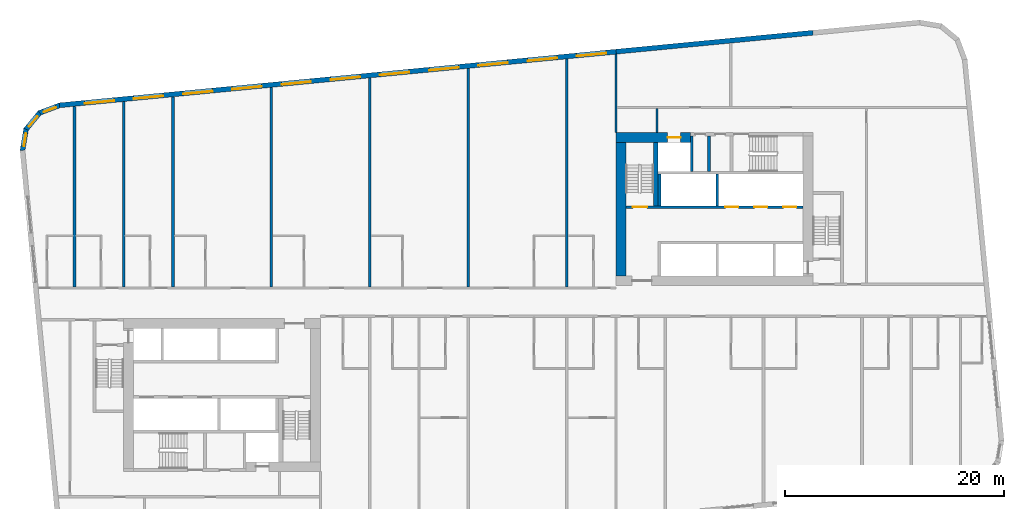
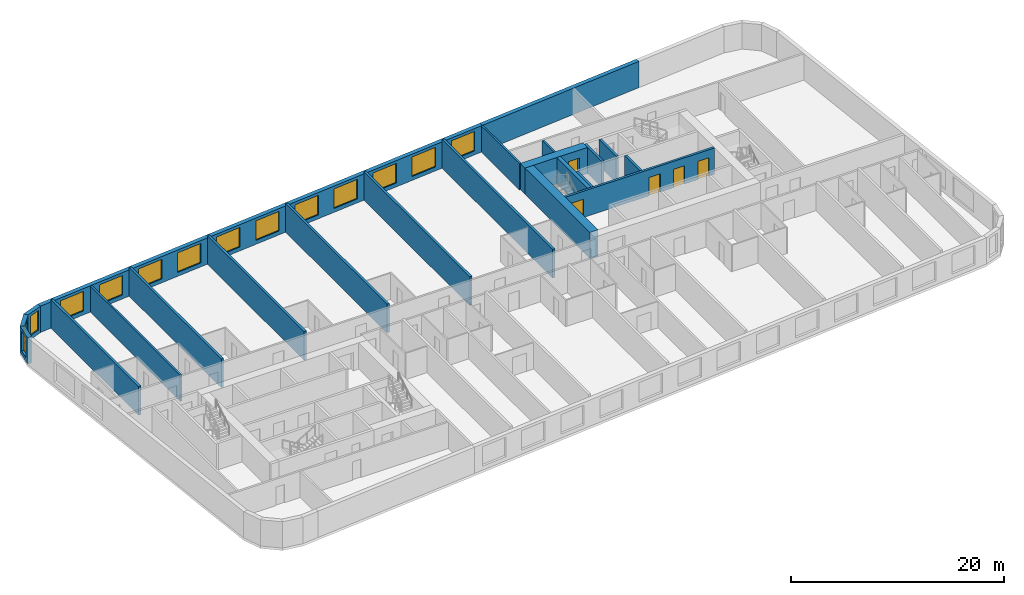
# One storey, part 6 of 12: 22 walls, 14 windows, 5 doors, 19 openings.
"""IFC4 building model written with IfcOpenShell, lengths in metres."""

import ifcopenshell
import ifcopenshell.guid

model = None  # the IFC model being written
_history = None  # IfcOwnerHistory: only IFC2X3 demands one
_inside = {}  # id of a spatial element -> (the spatial element, [elements in it])
_under = {}  # id of a project, library or spatial element -> (it, [spatial elements below it])
_declared = {}  # id of a project -> (the project, [libraries it declares])
_typed = {}  # id of a type object -> (the type object, [elements of that type])
_made_of = {}  # id of a material, layer set ... -> (it, [elements and type objects made of it])


def new_model(schema):
    """Start an empty IFC model of exactly this schema.

    Asked for "IFC4X3", IfcOpenShell would pick the latest addendum, in which some entities
    have other attributes; the version numbers below select the first issue.
    IFC2X3 requires an IfcOwnerHistory on every rooted entity: one is made here for all.
    """
    global model, _history
    if schema == "IFC4X3":
        model = ifcopenshell.file(schema_version=(4, 3, 0, 0))
    else:
        model = ifcopenshell.file(schema=schema)
    _inside.clear()
    _under.clear()
    _declared.clear()
    _typed.clear()
    _made_of.clear()
    _history = None
    if model.schema == "IFC2X3":
        org = make("IfcOrganization", Name="unknown")
        user = make(
            "IfcPersonAndOrganization",
            ThePerson=make("IfcPerson", FamilyName="unknown"),
            TheOrganization=org,
        )
        app = make(
            "IfcApplication",
            ApplicationDeveloper=org,
            Version="unknown",
            ApplicationFullName="unknown",
            ApplicationIdentifier="unknown",
        )
        _history = make(
            "IfcOwnerHistory",
            OwningUser=user,
            OwningApplication=app,
            ChangeAction="ADDED",
            CreationDate=0,
        )
    return model


def make(cls, **values):
    """One entity of the class cls with the attributes given. An attribute that is None is left unset."""
    return model.create_entity(
        cls, **{name: value for name, value in values.items() if value is not None}
    )


def rooted(cls, **values):
    """An entity with a GlobalId (a new one), such as an element, a storey or a relation."""
    return make(cls, GlobalId=ifcopenshell.guid.new(), OwnerHistory=_history, **values)


def si_unit(unit_type, name, prefix=None):
    """IfcSIUnit, for example si_unit("LENGTHUNIT", "METRE", prefix="MILLI")."""
    return make("IfcSIUnit", UnitType=unit_type, Prefix=prefix, Name=name)


def assignment(units):
    """IfcUnitAssignment: the units of a project."""
    return None if units is None else make("IfcUnitAssignment", Units=units)


def point(xyz):
    """IfcCartesianPoint."""
    return None if xyz is None else make("IfcCartesianPoint", Coordinates=xyz)


def direction(xyz):
    """IfcDirection."""
    return None if xyz is None else make("IfcDirection", DirectionRatios=xyz)


def frame(location, z_axis=None, x_axis=None):
    """IfcAxis2Placement3D, a coordinate frame: its origin and axes. An axis left out is left unset."""
    return make(
        "IfcAxis2Placement3D",
        Location=point(location),
        Axis=direction(z_axis),
        RefDirection=direction(x_axis),
    )


def frame_2d(location, x_axis=None):
    """IfcAxis2Placement2D, a coordinate frame in the plane: its origin and x axis."""
    return make(
        "IfcAxis2Placement2D", Location=point(location), RefDirection=direction(x_axis)
    )


def origin():
    """The frame at (0, 0, 0) with its axes left unset."""
    return frame((0.0, 0.0, 0.0))


def place(relative_to, where):
    """IfcLocalPlacement: puts the frame where relative to a parent placement (None: the world)."""
    return make(
        "IfcLocalPlacement", PlacementRelTo=relative_to, RelativePlacement=where
    )


def context(
    kind, dimensions, precision=None, world=None, true_north=None, identifier=None
):
    """IfcGeometricRepresentationContext, for example the 3D "Model" context."""
    return make(
        "IfcGeometricRepresentationContext",
        ContextIdentifier=identifier,
        ContextType=kind,
        CoordinateSpaceDimension=dimensions,
        Precision=precision,
        WorldCoordinateSystem=world,
        TrueNorth=true_north,
    )


def subcontext(parent, identifier, kind, view, scale=None):
    """IfcGeometricRepresentationSubContext, for example "Body" below "Model"."""
    return make(
        "IfcGeometricRepresentationSubContext",
        ContextIdentifier=identifier,
        ContextType=kind,
        ParentContext=parent,
        TargetScale=scale,
        TargetView=view,
    )


def project(units=None, contexts=None):
    """IfcProject with its units and contexts."""
    return rooted(
        "IfcProject",
        Name="project",
        RepresentationContexts=contexts,
        UnitsInContext=assignment(units),
    )


def spatial(cls, under=None, at=None, **own):
    """A site, building, storey or space (cls), placed at a placement, below another one or the project."""
    s = rooted(cls, ObjectPlacement=at, **own)
    if under is not None:
        _under.setdefault(under.id(), (under, []))[1].append(s)
    return s


def polyline(points):
    """IfcPolyline through the points."""
    return make("IfcPolyline", Points=[point(p) for p in points])


def profile(cls, at=None, kind="AREA", **sizes):
    """A parametric profile (cls). Its sizes go by their IFC names, for example OverallWidth=200.0."""
    return make(cls, ProfileType=kind, Position=at, **sizes)


def rectangle(**sizes):
    """IfcRectangleProfileDef."""
    return profile("IfcRectangleProfileDef", **sizes)


def outline(outer, holes=None, kind="AREA"):
    """IfcArbitraryClosedProfileDef: a profile drawn as a closed curve; with holes, ...WithVoids."""
    if holes is None:
        return make("IfcArbitraryClosedProfileDef", ProfileType=kind, OuterCurve=outer)
    return make(
        "IfcArbitraryProfileDefWithVoids",
        ProfileType=kind,
        OuterCurve=outer,
        InnerCurves=holes,
    )


def extrude(swept, where, along, depth):
    """IfcExtrudedAreaSolid: the profile swept, set in the frame where, extruded along a direction by depth."""
    return make(
        "IfcExtrudedAreaSolid",
        SweptArea=swept,
        Position=where,
        ExtrudedDirection=direction(along),
        Depth=depth,
    )


def shape(context_of_items, identifier, shape_type, items):
    """IfcShapeRepresentation: the items that make up one representation, for example the "Body"."""
    return make(
        "IfcShapeRepresentation",
        ContextOfItems=context_of_items,
        RepresentationIdentifier=identifier,
        RepresentationType=shape_type,
        Items=items,
    )


def material(Name=None, Category=None):
    """IfcMaterial."""
    return make("IfcMaterial", Name=Name, Category=Category)


def layer(
    of_material, thickness, ventilated=None, Name=None, Category=None, Priority=None
):
    """IfcMaterialLayer: one layer of a wall or slab, of a material (None: an air gap)."""
    return make(
        "IfcMaterialLayer",
        Material=of_material,
        LayerThickness=thickness,
        IsVentilated=ventilated,
        Name=Name,
        Category=Category,
        Priority=Priority,
    )


def layer_set(layers, Name=None):
    """IfcMaterialLayerSet."""
    return make("IfcMaterialLayerSet", MaterialLayers=layers, LayerSetName=Name)


def made_of(thing, what):
    """Note that an element or type object is made of a material, layer set ...; save() writes the relation."""
    if what is not None:
        _made_of.setdefault(what.id(), (what, []))[1].append(thing)
    return thing


def type_object(cls, material=None, **own):
    """A type object (cls), such as IfcWallType, which elements share."""
    return made_of(rooted(cls, **own), material)


def element(
    cls,
    number,
    at=None,
    inside=None,
    cuts=None,
    type_object=None,
    material=None,
    context=None,
    identifier="Body",
    shape_type=None,
    held_by="IfcProductDefinitionShape",
    body=None,
    shapes=None,
    **own,
):
    """One element of the class cls, such as IfcWall. Its Tag is "e" and its number.

    at: its placement. inside: the storey or other place that contains it. cuts: it is an
    opening in that element (IfcRelVoidsElement). A single representation is given by context,
    identifier, shape_type and body (its items); several are given by shapes. held_by: the class
    of the entity that holds the representations. save() writes the other relations.
    """
    e = rooted(cls, Tag="e%d" % number, ObjectPlacement=at, **own)
    if body is not None:
        shapes = [shape(context, identifier, shape_type, body)]
    if shapes is not None:
        e.Representation = make(held_by, Representations=shapes)
    if inside is not None:
        _inside.setdefault(inside.id(), (inside, []))[1].append(e)
    if cuts is not None:
        rooted(
            "IfcRelVoidsElement", RelatingBuildingElement=cuts, RelatedOpeningElement=e
        )
    if type_object is not None:
        _typed.setdefault(type_object.id(), (type_object, []))[1].append(e)
    return made_of(e, material)


def fill(opening, filler):
    """IfcRelFillsElement: the door or window that sits in an opening."""
    return rooted(
        "IfcRelFillsElement",
        RelatingOpeningElement=opening,
        RelatedBuildingElement=filler,
    )


def aggregate(whole, parts):
    """IfcRelAggregates: a whole, such as a stair, and the parts it consists of."""
    return rooted("IfcRelAggregates", RelatingObject=whole, RelatedObjects=parts)


def save(model, path):
    """Write the relations noted so far, then the file.

    IfcRelAggregates (storeys below a building ...), IfcRelContainedInSpatialStructure (elements
    in a storey), IfcRelDefinesByType, IfcRelAssociatesMaterial and IfcRelDeclares: one each for
    every whole, place, type object, material and project.
    """
    for whole, parts in _under.values():
        aggregate(whole, parts)
    for where, things in _inside.values():
        rooted(
            "IfcRelContainedInSpatialStructure",
            RelatedElements=things,
            RelatingStructure=where,
        )
    for kind, things in _typed.values():
        rooted("IfcRelDefinesByType", RelatedObjects=things, RelatingType=kind)
    for what, things in _made_of.values():
        rooted("IfcRelAssociatesMaterial", RelatedObjects=things, RelatingMaterial=what)
    for by, libraries in _declared.values():
        rooted("IfcRelDeclares", RelatingContext=by, RelatedDefinitions=libraries)
    model.write(path)


model = new_model("IFC4")

# Units and contexts
model_context = context("Model", 3, precision=1e-05, world=origin(), true_north=direction((0.0, 1.0)))
body_context = subcontext(model_context, "Body", "Model", "MODEL_VIEW")
ifc_project = project(units=[si_unit("LENGTHUNIT", "METRE"), si_unit("AREAUNIT", "SQUARE_METRE"), si_unit("VOLUMEUNIT", "CUBIC_METRE"), si_unit("PLANEANGLEUNIT", "RADIAN"), si_unit("MASSUNIT", "GRAM", prefix="KILO")], contexts=[model_context])

# Site, building, storey
site_placement = place(None, origin())
site = spatial("IfcSite", under=ifc_project, at=site_placement, CompositionType="ELEMENT")
building_placement = place(site_placement, origin())
building = spatial("IfcBuilding", under=site, at=building_placement, Name="Kajstack Hotel Tower", CompositionType="ELEMENT")
storey_placement = place(building_placement, frame((0.0, 0.0, 117.39990234375)))
storey = spatial("IfcBuildingStorey", under=building, at=storey_placement, Name="L25", CompositionType="ELEMENT", Elevation=117.39990234375)

# Wall, opening, door
ifc_material_1 = material(Name="Concrete C60/75", Category="concrete")
ifc_layer_1 = layer(ifc_material_1, 0.89990234375)
ifc_layer_set_1 = layer_set([ifc_layer_1], Name="Core wall 900")
wall_type_1 = type_object("IfcWallType", Name="Core wall 900", PredefinedType="SHEAR", material=ifc_layer_set_1)
wall_1_placement = place(storey_placement, frame((13.5, 15.050048828125, 0.0), z_axis=(0.0, 0.0, 1.0), x_axis=(1.0, 0.0, 0.0)))
wall_1 = element("IfcWall", 1, at=wall_1_placement, inside=storey, type_object=wall_type_1, Name="Core wall E RS", PredefinedType="SHEAR", context=body_context, shape_type="SweptSolid", body=[
    extrude(rectangle(XDim=6.800048828125, YDim=0.89990234375, at=frame_2d((3.39990234375, 0.0))), origin(), (0.0, 0.0, 1.0), 3.02001953125),
])
opening_1_placement = place(wall_1_placement, frame((4.72509765625, 0.0, 0.0)))
opening_1 = element("IfcOpeningElement", 2, at=opening_1_placement, cuts=wall_1, Name="Opening LD-SV2", PredefinedType="OPENING", context=body_context, shape_type="SweptSolid", body=[
    extrude(rectangle(XDim=1.199951171875, YDim=2.10009765625, at=frame_2d((0.60009765625, 1.050048828125))), frame((0.0, 0.4599609375, 0.0), z_axis=(0.0, -1.0, 0.0), x_axis=(1.0, 0.0, 0.0)), (0.0, 0.0, 1.0), 0.919921875),
])
ifc_material_2 = material(Name="Stainless steel", Category="steel")
door_type_1 = type_object("IfcDoorType", Name="Lift landing door 1200", OperationType="SLIDING_TO_LEFT", PredefinedType="DOOR", material=ifc_material_2)
door_1_placement = place(opening_1_placement, origin())
door_1 = element("IfcDoor", 3, at=door_1_placement, inside=storey, type_object=door_type_1, Name="Landing door SV2", OperationType="SLIDING_TO_LEFT", OverallHeight=2.10009765625, OverallWidth=1.199951171875, PredefinedType="DOOR", context=body_context, shape_type="SweptSolid", body=[
    extrude(rectangle(XDim=1.199951171875, YDim=2.10009765625, at=frame_2d((0.60009765625, 1.050048828125))), frame((0.0, 0.02490234375, 0.0), z_axis=(0.0, -1.0, 0.0), x_axis=(1.0, 0.0, 0.0)), (0.0, 0.0, 1.0), 0.050048828125),
])
fill(opening_1, door_1)

# Walls
wall_2_placement = place(storey_placement, frame((13.949951171875, 2.39990234375, 0.0), z_axis=(0.0, 0.0, 1.0), x_axis=(0.0, 1.0, 0.0)))
element("IfcWall", 4, at=wall_2_placement, inside=storey, type_object=wall_type_1, Name="Core wall E RE", PredefinedType="SHEAR", context=body_context, shape_type="SweptSolid", body=[
    extrude(rectangle(XDim=12.2001953125, YDim=0.89990234375, at=frame_2d((6.10009765625, 0.0))), origin(), (0.0, 0.0, 1.0), 3.02001953125),
])
ifc_material_3 = material(Name="Twin-frame gypsum board on steel studs, mineral wool", Category="steel")
ifc_layer_2 = layer(ifc_material_3, 0.199951171875)
ifc_layer_set_2 = layer_set([ifc_layer_2], Name="Demising wall 200")
wall_type_2 = type_object("IfcWallType", Name="Demising wall 200", PredefinedType="PARTITIONING", material=ifc_layer_set_2)
wall_3_placement = place(storey_placement, frame((13.5, 15.5, 0.0), z_axis=(0.0, 0.0, 1.0), x_axis=(0.0, 1.0, 0.0)))
element("IfcWall", 5, at=wall_3_placement, inside=storey, type_object=wall_type_2, Name="G-wall-L25-001", PredefinedType="PARTITIONING", context=body_context, shape_type="SweptSolid", body=[
    extrude(rectangle(XDim=7.162109375, YDim=0.199951171875, at=frame_2d((3.5810546875, 0.0))), origin(), (0.0, 0.0, 1.0), 3.02001953125),
])
wall_4_placement = place(storey_placement, frame((-31.5, 1.39990234375, 0.0), z_axis=(0.0, 0.0, 1.0), x_axis=(0.0, 1.0, 0.0)))
element("IfcWall", 6, at=wall_4_placement, inside=storey, type_object=wall_type_2, Name="G-wall-L25-006", PredefinedType="PARTITIONING", context=body_context, shape_type="SweptSolid", body=[
    extrude(rectangle(XDim=16.92919921875, YDim=0.199951171875, at=frame_2d((8.464599609375, 0.0))), origin(), (0.0, 0.0, 1.0), 3.02001953125),
])
ifc_material_4 = material(Name="Concrete C40/50", Category="concrete")
ifc_layer_3 = layer(ifc_material_4, 0.449951171875)
ifc_layer_set_3 = layer_set([ifc_layer_3], Name="EW-CORE")
wall_type_3 = type_object("IfcWallType", Name="EW-CORE", PredefinedType="SOLIDWALL", material=ifc_layer_set_3)
wall_5_placement = place(storey_placement, frame((31.521484375, 24.623291015625, 0.0), z_axis=(0.0, 0.0, 1.0), x_axis=(-0.995396454615, -0.095843091245, 0.0)))
element("IfcWall", 7, at=wall_5_placement, inside=storey, type_object=wall_type_3, Name="E-wall-L25-12-01", PredefinedType="SOLIDWALL", context=body_context, shape_type="SweptSolid", body=[
    extrude(rectangle(XDim=18.083251953125, YDim=0.449951171875, at=frame_2d((9.04150390625, 0.0))), origin(), (0.0, 0.0, 1.0), 3.02001953125),
])

# Wall, openings, windows
ifc_material_5 = material(Name="Terracotta-faced brick masonry", Category="masonry")
ifc_layer_4 = layer(ifc_material_5, 0.449951171875)
ifc_layer_set_4 = layer_set([ifc_layer_4], Name="EW-TERRA")
wall_type_4 = type_object("IfcWallType", Name="EW-TERRA", PredefinedType="SOLIDWALL", material=ifc_layer_set_4)
wall_6_placement = place(storey_placement, frame((13.521484375, 22.89013671875, 0.0), z_axis=(0.0, 0.0, 1.0), x_axis=(-0.995396445054, -0.095843190545, 0.0)))
wall_6 = element("IfcWall", 8, at=wall_6_placement, inside=storey, type_object=wall_type_4, Name="E-wall-L25-12-02", PredefinedType="SOLIDWALL", context=body_context, shape_type="SweptSolid", body=[
    extrude(rectangle(XDim=51.114013671875, YDim=0.449951171875, at=frame_2d((25.55712890625, 0.0))), origin(), (0.0, 0.0, 1.0), 3.02001953125),
])
opening_2_placement = place(wall_6_placement, frame((0.910400390625, 0.0, 0.449951171875)))
opening_2 = element("IfcOpeningElement", 9, at=opening_2_placement, cuts=wall_6, Name="Opening W1", PredefinedType="OPENING", context=body_context, shape_type="SweptSolid", body=[
    extrude(rectangle(XDim=2.699951171875, YDim=2.25, at=frame_2d((1.35009765625, 1.125))), frame((0.0, 0.23486328125, 0.0), z_axis=(0.0, -1.0, 0.0), x_axis=(1.0, 0.0, 0.0)), (0.0, 0.0, 1.0), 0.469970703125),
])
opening_3_placement = place(wall_6_placement, frame((5.43115234375, 0.0, 0.449951171875)))
opening_3 = element("IfcOpeningElement", 10, at=opening_3_placement, cuts=wall_6, Name="Opening W1", PredefinedType="OPENING", context=body_context, shape_type="SweptSolid", body=[
    extrude(rectangle(XDim=2.699951171875, YDim=2.25, at=frame_2d((1.35009765625, 1.125))), frame((0.0, 0.23486328125, 0.0), z_axis=(0.0, -1.0, 0.0), x_axis=(1.0, 0.0, 0.0)), (0.0, 0.0, 1.0), 0.469970703125),
])
opening_4_placement = place(wall_6_placement, frame((9.951904296875, 0.0, 0.449951171875)))
opening_4 = element("IfcOpeningElement", 11, at=opening_4_placement, cuts=wall_6, Name="Opening W1", PredefinedType="OPENING", context=body_context, shape_type="SweptSolid", body=[
    extrude(rectangle(XDim=2.699951171875, YDim=2.25, at=frame_2d((1.35009765625, 1.125))), frame((0.0, 0.23486328125, 0.0), z_axis=(0.0, -1.0, 0.0), x_axis=(1.0, 0.0, 0.0)), (0.0, 0.0, 1.0), 0.469970703125),
])
opening_5_placement = place(wall_6_placement, frame((14.472900390625, 0.0, 0.449951171875)))
opening_5 = element("IfcOpeningElement", 12, at=opening_5_placement, cuts=wall_6, Name="Opening W1", PredefinedType="OPENING", context=body_context, shape_type="SweptSolid", body=[
    extrude(rectangle(XDim=2.699951171875, YDim=2.25, at=frame_2d((1.35009765625, 1.125))), frame((0.0, 0.23486328125, 0.0), z_axis=(0.0, -1.0, 0.0), x_axis=(1.0, 0.0, 0.0)), (0.0, 0.0, 1.0), 0.469970703125),
])
opening_6_placement = place(wall_6_placement, frame((18.99365234375, 0.0, 0.449951171875)))
opening_6 = element("IfcOpeningElement", 13, at=opening_6_placement, cuts=wall_6, Name="Opening W1", PredefinedType="OPENING", context=body_context, shape_type="SweptSolid", body=[
    extrude(rectangle(XDim=2.699951171875, YDim=2.25, at=frame_2d((1.35009765625, 1.125))), frame((0.0, 0.23486328125, 0.0), z_axis=(0.0, -1.0, 0.0), x_axis=(1.0, 0.0, 0.0)), (0.0, 0.0, 1.0), 0.469970703125),
])
opening_7_placement = place(wall_6_placement, frame((23.514404296875, 0.0, 0.449951171875)))
opening_7 = element("IfcOpeningElement", 14, at=opening_7_placement, cuts=wall_6, Name="Opening W1", PredefinedType="OPENING", context=body_context, shape_type="SweptSolid", body=[
    extrude(rectangle(XDim=2.699951171875, YDim=2.25, at=frame_2d((1.35009765625, 1.125))), frame((0.0, 0.23486328125, 0.0), z_axis=(0.0, -1.0, 0.0), x_axis=(1.0, 0.0, 0.0)), (0.0, 0.0, 1.0), 0.469970703125),
])
opening_8_placement = place(wall_6_placement, frame((28.035400390625, 0.0, 0.449951171875)))
opening_8 = element("IfcOpeningElement", 15, at=opening_8_placement, cuts=wall_6, Name="Opening W1", PredefinedType="OPENING", context=body_context, shape_type="SweptSolid", body=[
    extrude(rectangle(XDim=2.699951171875, YDim=2.25, at=frame_2d((1.35009765625, 1.125))), frame((0.0, 0.23486328125, 0.0), z_axis=(0.0, -1.0, 0.0), x_axis=(1.0, 0.0, 0.0)), (0.0, 0.0, 1.0), 0.469970703125),
])
opening_9_placement = place(wall_6_placement, frame((32.55615234375, 0.0, 0.449951171875)))
opening_9 = element("IfcOpeningElement", 16, at=opening_9_placement, cuts=wall_6, Name="Opening W1", PredefinedType="OPENING", context=body_context, shape_type="SweptSolid", body=[
    extrude(rectangle(XDim=2.699951171875, YDim=2.25, at=frame_2d((1.35009765625, 1.125))), frame((0.0, 0.23486328125, 0.0), z_axis=(0.0, -1.0, 0.0), x_axis=(1.0, 0.0, 0.0)), (0.0, 0.0, 1.0), 0.469970703125),
])
opening_10_placement = place(wall_6_placement, frame((37.076904296875, 0.0, 0.449951171875)))
opening_10 = element("IfcOpeningElement", 17, at=opening_10_placement, cuts=wall_6, Name="Opening W1", PredefinedType="OPENING", context=body_context, shape_type="SweptSolid", body=[
    extrude(rectangle(XDim=2.699951171875, YDim=2.25, at=frame_2d((1.35009765625, 1.125))), frame((0.0, 0.23486328125, 0.0), z_axis=(0.0, -1.0, 0.0), x_axis=(1.0, 0.0, 0.0)), (0.0, 0.0, 1.0), 0.469970703125),
])
opening_11_placement = place(wall_6_placement, frame((41.59765625, 0.0, 0.449951171875)))
opening_11 = element("IfcOpeningElement", 18, at=opening_11_placement, cuts=wall_6, Name="Opening W1", PredefinedType="OPENING", context=body_context, shape_type="SweptSolid", body=[
    extrude(rectangle(XDim=2.699951171875, YDim=2.25, at=frame_2d((1.35009765625, 1.125))), frame((0.0, 0.23486328125, 0.0), z_axis=(0.0, -1.0, 0.0), x_axis=(1.0, 0.0, 0.0)), (0.0, 0.0, 1.0), 0.469970703125),
])
opening_12_placement = place(wall_6_placement, frame((46.118408203125, 0.0, 0.449951171875)))
opening_12 = element("IfcOpeningElement", 19, at=opening_12_placement, cuts=wall_6, Name="Opening W1", PredefinedType="OPENING", context=body_context, shape_type="SweptSolid", body=[
    extrude(rectangle(XDim=2.699951171875, YDim=2.25, at=frame_2d((1.35009765625, 1.125))), frame((0.0, 0.23486328125, 0.0), z_axis=(0.0, -1.0, 0.0), x_axis=(1.0, 0.0, 0.0)), (0.0, 0.0, 1.0), 0.469970703125),
])
ifc_material_6 = material(Name="Timber-aluminium window, triple glazed", Category="wood")
window_type_1 = type_object("IfcWindowType", Name="WG1", PartitioningType="SINGLE_PANEL", PredefinedType="WINDOW", material=ifc_material_6)
window_1_placement = place(opening_2_placement, origin())
window_1 = element("IfcWindow", 20, at=window_1_placement, inside=storey, type_object=window_type_1, Name="Window W1 L25-12", OverallHeight=2.25, OverallWidth=2.699951171875, PartitioningType="SINGLE_PANEL", PredefinedType="WINDOW", context=body_context, shape_type="SweptSolid", body=[
    extrude(rectangle(XDim=2.699951171875, YDim=2.25, at=frame_2d((1.35009765625, 1.125))), frame((0.0, 0.090087890625, 0.0), z_axis=(0.0, -1.0, 0.0), x_axis=(1.0, 0.0, 0.0)), (0.0, 0.0, 1.0), 0.06005859375),
])
fill(opening_2, window_1)
window_2_placement = place(opening_3_placement, origin())
window_2 = element("IfcWindow", 21, at=window_2_placement, inside=storey, type_object=window_type_1, Name="Window W1 L25-12", OverallHeight=2.25, OverallWidth=2.699951171875, PartitioningType="SINGLE_PANEL", PredefinedType="WINDOW", context=body_context, shape_type="SweptSolid", body=[
    extrude(rectangle(XDim=2.699951171875, YDim=2.25, at=frame_2d((1.35009765625, 1.125))), frame((0.0, 0.090087890625, 0.0), z_axis=(0.0, -1.0, 0.0), x_axis=(1.0, 0.0, 0.0)), (0.0, 0.0, 1.0), 0.06005859375),
])
fill(opening_3, window_2)
window_3_placement = place(opening_4_placement, origin())
window_3 = element("IfcWindow", 22, at=window_3_placement, inside=storey, type_object=window_type_1, Name="Window W1 L25-12", OverallHeight=2.25, OverallWidth=2.699951171875, PartitioningType="SINGLE_PANEL", PredefinedType="WINDOW", context=body_context, shape_type="SweptSolid", body=[
    extrude(rectangle(XDim=2.699951171875, YDim=2.25, at=frame_2d((1.35009765625, 1.125))), frame((0.0, 0.090087890625, 0.0), z_axis=(0.0, -1.0, 0.0), x_axis=(1.0, 0.0, 0.0)), (0.0, 0.0, 1.0), 0.06005859375),
])
fill(opening_4, window_3)
window_4_placement = place(opening_5_placement, origin())
window_4 = element("IfcWindow", 23, at=window_4_placement, inside=storey, type_object=window_type_1, Name="Window W1 L25-12", OverallHeight=2.25, OverallWidth=2.699951171875, PartitioningType="SINGLE_PANEL", PredefinedType="WINDOW", context=body_context, shape_type="SweptSolid", body=[
    extrude(rectangle(XDim=2.699951171875, YDim=2.25, at=frame_2d((1.35009765625, 1.125))), frame((0.0, 0.090087890625, 0.0), z_axis=(0.0, -1.0, 0.0), x_axis=(1.0, 0.0, 0.0)), (0.0, 0.0, 1.0), 0.06005859375),
])
fill(opening_5, window_4)
window_5_placement = place(opening_6_placement, origin())
window_5 = element("IfcWindow", 24, at=window_5_placement, inside=storey, type_object=window_type_1, Name="Window W1 L25-12", OverallHeight=2.25, OverallWidth=2.699951171875, PartitioningType="SINGLE_PANEL", PredefinedType="WINDOW", context=body_context, shape_type="SweptSolid", body=[
    extrude(rectangle(XDim=2.699951171875, YDim=2.25, at=frame_2d((1.35009765625, 1.125))), frame((0.0, 0.090087890625, 0.0), z_axis=(0.0, -1.0, 0.0), x_axis=(1.0, 0.0, 0.0)), (0.0, 0.0, 1.0), 0.06005859375),
])
fill(opening_6, window_5)
window_6_placement = place(opening_7_placement, origin())
window_6 = element("IfcWindow", 25, at=window_6_placement, inside=storey, type_object=window_type_1, Name="Window W1 L25-12", OverallHeight=2.25, OverallWidth=2.699951171875, PartitioningType="SINGLE_PANEL", PredefinedType="WINDOW", context=body_context, shape_type="SweptSolid", body=[
    extrude(rectangle(XDim=2.699951171875, YDim=2.25, at=frame_2d((1.35009765625, 1.125))), frame((0.0, 0.090087890625, 0.0), z_axis=(0.0, -1.0, 0.0), x_axis=(1.0, 0.0, 0.0)), (0.0, 0.0, 1.0), 0.06005859375),
])
fill(opening_7, window_6)
window_7_placement = place(opening_8_placement, origin())
window_7 = element("IfcWindow", 26, at=window_7_placement, inside=storey, type_object=window_type_1, Name="Window W1 L25-12", OverallHeight=2.25, OverallWidth=2.699951171875, PartitioningType="SINGLE_PANEL", PredefinedType="WINDOW", context=body_context, shape_type="SweptSolid", body=[
    extrude(rectangle(XDim=2.699951171875, YDim=2.25, at=frame_2d((1.35009765625, 1.125))), frame((0.0, 0.090087890625, 0.0), z_axis=(0.0, -1.0, 0.0), x_axis=(1.0, 0.0, 0.0)), (0.0, 0.0, 1.0), 0.06005859375),
])
fill(opening_8, window_7)
window_8_placement = place(opening_9_placement, origin())
window_8 = element("IfcWindow", 27, at=window_8_placement, inside=storey, type_object=window_type_1, Name="Window W1 L25-12", OverallHeight=2.25, OverallWidth=2.699951171875, PartitioningType="SINGLE_PANEL", PredefinedType="WINDOW", context=body_context, shape_type="SweptSolid", body=[
    extrude(rectangle(XDim=2.699951171875, YDim=2.25, at=frame_2d((1.35009765625, 1.125))), frame((0.0, 0.090087890625, 0.0), z_axis=(0.0, -1.0, 0.0), x_axis=(1.0, 0.0, 0.0)), (0.0, 0.0, 1.0), 0.06005859375),
])
fill(opening_9, window_8)
window_9_placement = place(opening_10_placement, origin())
window_9 = element("IfcWindow", 28, at=window_9_placement, inside=storey, type_object=window_type_1, Name="Window W1 L25-12", OverallHeight=2.25, OverallWidth=2.699951171875, PartitioningType="SINGLE_PANEL", PredefinedType="WINDOW", context=body_context, shape_type="SweptSolid", body=[
    extrude(rectangle(XDim=2.699951171875, YDim=2.25, at=frame_2d((1.35009765625, 1.125))), frame((0.0, 0.090087890625, 0.0), z_axis=(0.0, -1.0, 0.0), x_axis=(1.0, 0.0, 0.0)), (0.0, 0.0, 1.0), 0.06005859375),
])
fill(opening_10, window_9)
window_10_placement = place(opening_11_placement, origin())
window_10 = element("IfcWindow", 29, at=window_10_placement, inside=storey, type_object=window_type_1, Name="Window W1 L25-12", OverallHeight=2.25, OverallWidth=2.699951171875, PartitioningType="SINGLE_PANEL", PredefinedType="WINDOW", context=body_context, shape_type="SweptSolid", body=[
    extrude(rectangle(XDim=2.699951171875, YDim=2.25, at=frame_2d((1.35009765625, 1.125))), frame((0.0, 0.090087890625, 0.0), z_axis=(0.0, -1.0, 0.0), x_axis=(1.0, 0.0, 0.0)), (0.0, 0.0, 1.0), 0.06005859375),
])
fill(opening_11, window_10)
window_11_placement = place(opening_12_placement, origin())
window_11 = element("IfcWindow", 30, at=window_11_placement, inside=storey, type_object=window_type_1, Name="Window W1 L25-12", OverallHeight=2.25, OverallWidth=2.699951171875, PartitioningType="SINGLE_PANEL", PredefinedType="WINDOW", context=body_context, shape_type="SweptSolid", body=[
    extrude(rectangle(XDim=2.699951171875, YDim=2.25, at=frame_2d((1.35009765625, 1.125))), frame((0.0, 0.090087890625, 0.0), z_axis=(0.0, -1.0, 0.0), x_axis=(1.0, 0.0, 0.0)), (0.0, 0.0, 1.0), 0.06005859375),
])
fill(opening_12, window_11)

# Wall, opening, window
wall_7_placement = place(storey_placement, frame((-37.300048828125, 18.00439453125, 0.0), z_axis=(0.0, 0.0, 1.0), x_axis=(-0.936677599948, -0.350192909346, 0.0)))
wall_7 = element("IfcWall", 31, at=wall_7_placement, inside=storey, type_object=wall_type_4, Name="E-wall-L25-13-00", PredefinedType="SOLIDWALL", context=body_context, shape_type="SweptSolid", body=[
    extrude(outline(polyline([(0.0, -0.224853515625), (2.070556640625, -0.224853515625), (1.949951171875, 0.22509765625), (0.12060546875, 0.22509765625), (0.0, -0.224853515625)])), origin(), (0.0, 0.0, 1.0), 3.02001953125),
])
opening_13_placement = place(wall_7_placement, frame((0.435302734375, 0.0, 0.449951171875)))
opening_13 = element("IfcOpeningElement", 32, at=opening_13_placement, cuts=wall_7, Name="Opening W3", PredefinedType="OPENING", context=body_context, shape_type="SweptSolid", body=[
    extrude(rectangle(XDim=1.199951171875, YDim=2.25, at=frame_2d((0.60009765625, 1.125))), frame((0.0, 0.23486328125, 0.0), z_axis=(0.0, -1.0, 0.0), x_axis=(1.0, 0.0, 0.0)), (0.0, 0.0, 1.0), 0.469970703125),
])
window_type_2 = type_object("IfcWindowType", Name="WG3", PartitioningType="SINGLE_PANEL", PredefinedType="WINDOW", material=ifc_material_6)
window_12_placement = place(opening_13_placement, origin())
window_12 = element("IfcWindow", 33, at=window_12_placement, inside=storey, type_object=window_type_2, Name="Window W3 L25-13", OverallHeight=2.25, OverallWidth=1.199951171875, PartitioningType="SINGLE_PANEL", PredefinedType="WINDOW", context=body_context, shape_type="SweptSolid", body=[
    extrude(rectangle(XDim=1.199951171875, YDim=2.25, at=frame_2d((0.60009765625, 1.125))), frame((0.0, 0.090087890625, 0.0), z_axis=(0.0, -1.0, 0.0), x_axis=(1.0, 0.0, 0.0)), (0.0, 0.0, 1.0), 0.06005859375),
])
fill(opening_13, window_12)

wall_8_placement = place(storey_placement, frame((-39.144775390625, 17.346923828125, 0.0), z_axis=(0.0, 0.0, 1.0), x_axis=(-0.636046112757, -0.771651049663, 0.0)))
wall_8 = element("IfcWall", 34, at=wall_8_placement, inside=storey, type_object=wall_type_4, Name="E-wall-L25-14-00", PredefinedType="SOLIDWALL", context=body_context, shape_type="SweptSolid", body=[
    extrude(outline(polyline([(0.0, -0.224853515625), (2.070556640625, -0.224853515625), (1.949951171875, 0.22509765625), (0.12060546875, 0.22509765625), (0.0, -0.224853515625)])), origin(), (0.0, 0.0, 1.0), 3.02001953125),
])
opening_14_placement = place(wall_8_placement, frame((0.435302734375, 0.0, 0.449951171875)))
opening_14 = element("IfcOpeningElement", 35, at=opening_14_placement, cuts=wall_8, Name="Opening W3", PredefinedType="OPENING", context=body_context, shape_type="SweptSolid", body=[
    extrude(rectangle(XDim=1.199951171875, YDim=2.25, at=frame_2d((0.60009765625, 1.125))), frame((0.0, 0.23486328125, 0.0), z_axis=(0.0, -1.0, 0.0), x_axis=(1.0, 0.0, 0.0)), (0.0, 0.0, 1.0), 0.469970703125),
])
window_13_placement = place(opening_14_placement, origin())
window_13 = element("IfcWindow", 36, at=window_13_placement, inside=storey, type_object=window_type_2, Name="Window W3 L25-14", OverallHeight=2.25, OverallWidth=1.199951171875, PartitioningType="SINGLE_PANEL", PredefinedType="WINDOW", context=body_context, shape_type="SweptSolid", body=[
    extrude(rectangle(XDim=1.199951171875, YDim=2.25, at=frame_2d((0.60009765625, 1.125))), frame((0.0, 0.090087890625, 0.0), z_axis=(0.0, -1.0, 0.0), x_axis=(1.0, 0.0, 0.0)), (0.0, 0.0, 1.0), 0.06005859375),
])
fill(opening_14, window_13)

wall_9_placement = place(storey_placement, frame((-40.413330078125, 15.855224609375, 0.0), z_axis=(0.0, 0.0, 1.0), x_axis=(-0.165068144653, -0.986282164302, 0.0)))
wall_9 = element("IfcWall", 37, at=wall_9_placement, inside=storey, type_object=wall_type_4, Name="E-wall-L25-15-00", PredefinedType="SOLIDWALL", context=body_context, shape_type="SweptSolid", body=[
    extrude(outline(polyline([(0.0, -0.22509765625), (2.070556640625, -0.224853515625), (1.9501953125, 0.22509765625), (0.12060546875, 0.224853515625), (0.0, -0.22509765625)])), origin(), (0.0, 0.0, 1.0), 3.02001953125),
])
opening_15_placement = place(wall_9_placement, frame((0.435302734375, 0.0, 0.449951171875)))
opening_15 = element("IfcOpeningElement", 38, at=opening_15_placement, cuts=wall_9, Name="Opening W3", PredefinedType="OPENING", context=body_context, shape_type="SweptSolid", body=[
    extrude(rectangle(XDim=1.199951171875, YDim=2.25, at=frame_2d((0.60009765625, 1.125))), frame((0.0, 0.23486328125, 0.0), z_axis=(0.0, -1.0, 0.0), x_axis=(1.0, 0.0, 0.0)), (0.0, 0.0, 1.0), 0.469970703125),
])
window_14_placement = place(opening_15_placement, origin())
window_14 = element("IfcWindow", 39, at=window_14_placement, inside=storey, type_object=window_type_2, Name="Window W3 L25-15", OverallHeight=2.25, OverallWidth=1.199951171875, PartitioningType="SINGLE_PANEL", PredefinedType="WINDOW", context=body_context, shape_type="SweptSolid", body=[
    extrude(rectangle(XDim=1.199951171875, YDim=2.25, at=frame_2d((0.60009765625, 1.125))), frame((0.0, 0.090087890625, 0.0), z_axis=(0.0, -1.0, 0.0), x_axis=(1.0, 0.0, 0.0)), (0.0, 0.0, 1.0), 0.06005859375),
])
fill(opening_15, window_14)

# Walls
ifc_material_7 = material(Name="Concrete C50/60", Category="concrete")
ifc_layer_5 = layer(ifc_material_7, 0.300048828125)
ifc_layer_set_5 = layer_set([ifc_layer_5], Name="Hoistway divider wall 300")
wall_type_5 = type_object("IfcWallType", Name="Hoistway divider wall 300", PredefinedType="SHEAR", material=ifc_layer_set_5)
wall_10_placement = place(storey_placement, frame((22.77490234375, 8.800048828125, 0.0), z_axis=(0.0, 0.0, 1.0), x_axis=(0.0, 1.0, 0.0)))
element("IfcWall", 40, at=wall_10_placement, inside=storey, type_object=wall_type_5, Name="Core wall E BP2", PredefinedType="SHEAR", context=body_context, shape_type="SweptSolid", body=[
    extrude(rectangle(XDim=2.89990234375, YDim=0.25, at=frame_2d((1.449951171875, 0.0))), origin(), (0.0, 0.0, 1.0), 3.02001953125),
])
ifc_material_8 = material(Name="Concrete C55/67", Category="concrete")
ifc_layer_6 = layer(ifc_material_8, 0.25)
ifc_layer_set_6 = layer_set([ifc_layer_6], Name="RC cross wall 250 C55/67")
wall_type_6 = type_object("IfcWallType", Name="RC cross wall 250 C55/67", PredefinedType="SHEAR", material=ifc_layer_set_6)
wall_11_placement = place(storey_placement, frame((-36.0, 1.39990234375, 0.0), z_axis=(0.0, 0.0, 1.0), x_axis=(0.0, 1.0, 0.0)))
element("IfcWall", 41, at=wall_11_placement, inside=storey, type_object=wall_type_6, Name="S-wall-L25-01", PredefinedType="SHEAR", context=body_context, shape_type="SweptSolid", body=[
    extrude(rectangle(XDim=16.473876953125, YDim=0.25, at=frame_2d((8.23681640625, 0.0))), origin(), (0.0, 0.0, 1.0), 3.300048828125),
])
wall_12_placement = place(storey_placement, frame((-27.0, 1.39990234375, 0.0), z_axis=(0.0, 0.0, 1.0), x_axis=(0.0, 1.0, 0.0)))
element("IfcWall", 42, at=wall_12_placement, inside=storey, type_object=wall_type_6, Name="S-wall-L25-02", PredefinedType="SHEAR", context=body_context, shape_type="SweptSolid", body=[
    extrude(rectangle(XDim=17.34033203125, YDim=0.25, at=frame_2d((8.670166015625, 0.0))), origin(), (0.0, 0.0, 1.0), 3.300048828125),
])
wall_13_placement = place(storey_placement, frame((-18.0, 1.39990234375, 0.0), z_axis=(0.0, 0.0, 1.0), x_axis=(0.0, 1.0, 0.0)))
element("IfcWall", 43, at=wall_13_placement, inside=storey, type_object=wall_type_6, Name="S-wall-L25-03", PredefinedType="SHEAR", context=body_context, shape_type="SweptSolid", body=[
    extrude(rectangle(XDim=18.20703125, YDim=0.25, at=frame_2d((9.103515625, 0.0))), origin(), (0.0, 0.0, 1.0), 3.300048828125),
])
wall_14_placement = place(storey_placement, frame((-9.0, 1.39990234375, 0.0), z_axis=(0.0, 0.0, 1.0), x_axis=(0.0, 1.0, 0.0)))
element("IfcWall", 44, at=wall_14_placement, inside=storey, type_object=wall_type_6, Name="S-wall-L25-05", PredefinedType="SHEAR", context=body_context, shape_type="SweptSolid", body=[
    extrude(rectangle(XDim=19.073486328125, YDim=0.25, at=frame_2d((9.53662109375, 0.0))), origin(), (0.0, 0.0, 1.0), 3.300048828125),
])
wall_15_placement = place(storey_placement, frame((0.0, 1.39990234375, 0.0), z_axis=(0.0, 0.0, 1.0), x_axis=(0.0, 1.0, 0.0)))
element("IfcWall", 45, at=wall_15_placement, inside=storey, type_object=wall_type_6, Name="S-wall-L25-07", PredefinedType="SHEAR", context=body_context, shape_type="SweptSolid", body=[
    extrude(rectangle(XDim=19.940185546875, YDim=0.25, at=frame_2d((9.97021484375, 0.0))), origin(), (0.0, 0.0, 1.0), 3.300048828125),
])
wall_16_placement = place(storey_placement, frame((9.0, 1.39990234375, 0.0), z_axis=(0.0, 0.0, 1.0), x_axis=(0.0, 1.0, 0.0)))
element("IfcWall", 46, at=wall_16_placement, inside=storey, type_object=wall_type_6, Name="S-wall-L25-09", PredefinedType="SHEAR", context=body_context, shape_type="SweptSolid", body=[
    extrude(rectangle(XDim=20.806884765625, YDim=0.25, at=frame_2d((10.4033203125, 0.0))), origin(), (0.0, 0.0, 1.0), 3.300048828125),
])
ifc_material_9 = material(Name="Concrete block masonry", Category="masonry")
ifc_layer_7 = layer(ifc_material_9, 0.25)
ifc_layer_set_7 = layer_set([ifc_layer_7], Name="Riser partition 250")
wall_type_7 = type_object("IfcWallType", Name="Riser partition 250", PredefinedType="PARTITIONING", material=ifc_layer_set_7)
wall_17_placement = place(storey_placement, frame((22.0, 11.949951171875, 0.0), z_axis=(0.0, 0.0, 1.0), x_axis=(0.0, 1.0, 0.0)))
element("IfcWall", 47, at=wall_17_placement, inside=storey, type_object=wall_type_7, Name="Partition E SZ0", PredefinedType="PARTITIONING", context=body_context, shape_type="SweptSolid", body=[
    extrude(rectangle(XDim=3.25, YDim=0.25, at=frame_2d((1.625, 0.0))), origin(), (0.0, 0.0, 1.0), 3.02001953125),
])
ifc_material_10 = material(Name="Gypsum board on steel studs, mineral wool", Category="steel")
ifc_layer_8 = layer(ifc_material_10, 0.199951171875)
ifc_layer_set_8 = layer_set([ifc_layer_8], Name="Service partition 200")
wall_type_8 = type_object("IfcWallType", Name="Service partition 200", PredefinedType="PARTITIONING", material=ifc_layer_set_8)
wall_18_placement = place(storey_placement, frame((17.25, 15.5, 0.0), z_axis=(0.0, 0.0, 1.0), x_axis=(0.0, 1.0, 0.0)))
element("IfcWall", 48, at=wall_18_placement, inside=storey, type_object=wall_type_8, Name="Partition E SCE", PredefinedType="PARTITIONING", context=body_context, shape_type="SweptSolid", body=[
    extrude(rectangle(XDim=2.199951171875, YDim=0.199951171875, at=frame_2d((1.10009765625, 0.0))), origin(), (0.0, 0.0, 1.0), 3.02001953125),
])

# Wall, openings, doors
ifc_layer_9 = layer(ifc_material_7, 0.25)
ifc_layer_set_9 = layer_set([ifc_layer_9], Name="Shaft wall 250")
wall_type_9 = type_object("IfcWallType", Name="Shaft wall 250", PredefinedType="SHEAR", material=ifc_layer_set_9)
wall_19_placement = place(storey_placement, frame((14.39990234375, 8.675048828125, 0.0), z_axis=(0.0, 0.0, 1.0), x_axis=(1.0, 0.0, 0.0)))
wall_19 = element("IfcWall", 49, at=wall_19_placement, inside=storey, type_object=wall_type_9, Name="Core wall E FB", PredefinedType="SHEAR", context=body_context, shape_type="SweptSolid", body=[
    extrude(rectangle(XDim=16.2001953125, YDim=0.25, at=frame_2d((8.10009765625, 0.0))), origin(), (0.0, 0.0, 1.0), 3.02001953125),
])
opening_16_placement = place(wall_19_placement, frame((14.39990234375, 0.0, 0.0)))
opening_16 = element("IfcOpeningElement", 50, at=opening_16_placement, cuts=wall_19, Name="Opening LD-LR4", PredefinedType="OPENING", context=body_context, shape_type="SweptSolid", body=[
    extrude(rectangle(XDim=1.199951171875, YDim=2.10009765625, at=frame_2d((0.60009765625, 1.050048828125))), frame((0.0, 0.135009765625, 0.0), z_axis=(0.0, -1.0, 0.0), x_axis=(1.0, 0.0, 0.0)), (0.0, 0.0, 1.0), 0.27001953125),
])
opening_17_placement = place(wall_19_placement, frame((11.75, 0.0, 0.0)))
opening_17 = element("IfcOpeningElement", 51, at=opening_17_placement, cuts=wall_19, Name="Opening LD-LR5", PredefinedType="OPENING", context=body_context, shape_type="SweptSolid", body=[
    extrude(rectangle(XDim=1.199951171875, YDim=2.10009765625, at=frame_2d((0.60009765625, 1.050048828125))), frame((0.0, 0.135009765625, 0.0), z_axis=(0.0, -1.0, 0.0), x_axis=(1.0, 0.0, 0.0)), (0.0, 0.0, 1.0), 0.27001953125),
])
opening_18_placement = place(wall_19_placement, frame((9.10009765625, 0.0, 0.0)))
opening_18 = element("IfcOpeningElement", 52, at=opening_18_placement, cuts=wall_19, Name="Opening LD-LR6", PredefinedType="OPENING", context=body_context, shape_type="SweptSolid", body=[
    extrude(rectangle(XDim=1.199951171875, YDim=2.10009765625, at=frame_2d((0.60009765625, 1.050048828125))), frame((0.0, 0.135009765625, 0.0), z_axis=(0.0, -1.0, 0.0), x_axis=(1.0, 0.0, 0.0)), (0.0, 0.0, 1.0), 0.27001953125),
])
opening_19_placement = place(wall_19_placement, frame((0.64990234375, 0.0, 0.0)))
opening_19 = element("IfcOpeningElement", 53, at=opening_19_placement, cuts=wall_19, Name="Opening 25E10", PredefinedType="OPENING", context=body_context, shape_type="SweptSolid", body=[
    extrude(rectangle(XDim=1.300048828125, YDim=2.10009765625, at=frame_2d((0.64990234375, 1.050048828125))), frame((0.0, 0.135009765625, 0.0), z_axis=(0.0, -1.0, 0.0), x_axis=(1.0, 0.0, 0.0)), (0.0, 0.0, 1.0), 0.27001953125),
])
door_2_placement = place(opening_16_placement, origin())
door_2 = element("IfcDoor", 54, at=door_2_placement, inside=storey, type_object=door_type_1, Name="Landing door LR4", OperationType="SLIDING_TO_LEFT", OverallHeight=2.10009765625, OverallWidth=1.199951171875, PredefinedType="DOOR", context=body_context, shape_type="SweptSolid", body=[
    extrude(rectangle(XDim=1.199951171875, YDim=2.10009765625, at=frame_2d((0.60009765625, 1.050048828125))), frame((0.0, 0.02490234375, 0.0), z_axis=(0.0, -1.0, 0.0), x_axis=(1.0, 0.0, 0.0)), (0.0, 0.0, 1.0), 0.050048828125),
])
fill(opening_16, door_2)
door_3_placement = place(opening_17_placement, origin())
door_3 = element("IfcDoor", 55, at=door_3_placement, inside=storey, type_object=door_type_1, Name="Landing door LR5", OperationType="SLIDING_TO_RIGHT", OverallHeight=2.10009765625, OverallWidth=1.199951171875, PredefinedType="DOOR", context=body_context, shape_type="SweptSolid", body=[
    extrude(rectangle(XDim=1.199951171875, YDim=2.10009765625, at=frame_2d((0.60009765625, 1.050048828125))), frame((0.0, 0.02490234375, 0.0), z_axis=(0.0, -1.0, 0.0), x_axis=(1.0, 0.0, 0.0)), (0.0, 0.0, 1.0), 0.050048828125),
])
fill(opening_17, door_3)
door_4_placement = place(opening_18_placement, origin())
door_4 = element("IfcDoor", 56, at=door_4_placement, inside=storey, type_object=door_type_1, Name="Landing door LR6", OperationType="SLIDING_TO_RIGHT", OverallHeight=2.10009765625, OverallWidth=1.199951171875, PredefinedType="DOOR", context=body_context, shape_type="SweptSolid", body=[
    extrude(rectangle(XDim=1.199951171875, YDim=2.10009765625, at=frame_2d((0.60009765625, 1.050048828125))), frame((0.0, 0.02490234375, 0.0), z_axis=(0.0, -1.0, 0.0), x_axis=(1.0, 0.0, 0.0)), (0.0, 0.0, 1.0), 0.050048828125),
])
fill(opening_18, door_4)
ifc_material_11 = material(Name="Steel leaf, fire-rated", Category="steel")
door_type_2 = type_object("IfcDoorType", Name="Stair door 1300", OperationType="SINGLE_SWING_LEFT", PredefinedType="DOOR", material=ifc_material_11)
door_5_placement = place(opening_19_placement, origin())
door_5 = element("IfcDoor", 57, at=door_5_placement, inside=storey, type_object=door_type_2, Name="Door 25E10", OperationType="SINGLE_SWING_LEFT", OverallHeight=2.10009765625, OverallWidth=1.300048828125, PredefinedType="DOOR", context=body_context, shape_type="SweptSolid", body=[
    extrude(rectangle(XDim=1.300048828125, YDim=2.10009765625, at=frame_2d((0.64990234375, 1.050048828125))), frame((0.0, 0.02490234375, 0.0), z_axis=(0.0, -1.0, 0.0), x_axis=(1.0, 0.0, 0.0)), (0.0, 0.0, 1.0), 0.050048828125),
])
fill(opening_19, door_5)

# Walls
wall_20_placement = place(storey_placement, frame((17.47509765625, 8.800048828125, 0.0), z_axis=(0.0, 0.0, 1.0), x_axis=(0.0, 1.0, 0.0)))
element("IfcWall", 58, at=wall_20_placement, inside=storey, type_object=wall_type_9, Name="Core wall E BE", PredefinedType="SHEAR", context=body_context, shape_type="SweptSolid", body=[
    extrude(rectangle(XDim=2.89990234375, YDim=0.25, at=frame_2d((1.449951171875, 0.0))), origin(), (0.0, 0.0, 1.0), 3.02001953125),
])
wall_21_placement = place(storey_placement, frame((20.425048828125, 11.949951171875, 0.0), z_axis=(0.0, 0.0, 1.0), x_axis=(0.0, 1.0, 0.0)))
element("IfcWall", 59, at=wall_21_placement, inside=storey, type_object=wall_type_9, Name="Core wall E SVW", PredefinedType="SHEAR", context=body_context, shape_type="SweptSolid", body=[
    extrude(rectangle(XDim=3.25, YDim=0.25, at=frame_2d((1.625, 0.0))), origin(), (0.0, 0.0, 1.0), 3.02001953125),
])
ifc_layer_10 = layer(ifc_material_7, 0.39990234375)
ifc_layer_set_10 = layer_set([ifc_layer_10], Name="Stair wall 400")
wall_type_10 = type_object("IfcWallType", Name="Stair wall 400", PredefinedType="SHEAR", material=ifc_layer_set_10)
wall_22_placement = place(storey_placement, frame((17.14990234375, 8.800048828125, 0.0), z_axis=(0.0, 0.0, 1.0), x_axis=(0.0, 1.0, 0.0)))
element("IfcWall", 60, at=wall_22_placement, inside=storey, type_object=wall_type_10, Name="Core wall E WW2", PredefinedType="SHEAR", context=body_context, shape_type="SweptSolid", body=[
    extrude(rectangle(XDim=5.800048828125, YDim=0.39990234375, at=frame_2d((2.89990234375, 0.0))), origin(), (0.0, 0.0, 1.0), 3.02001953125),
])

save(model, "model.ifc")
